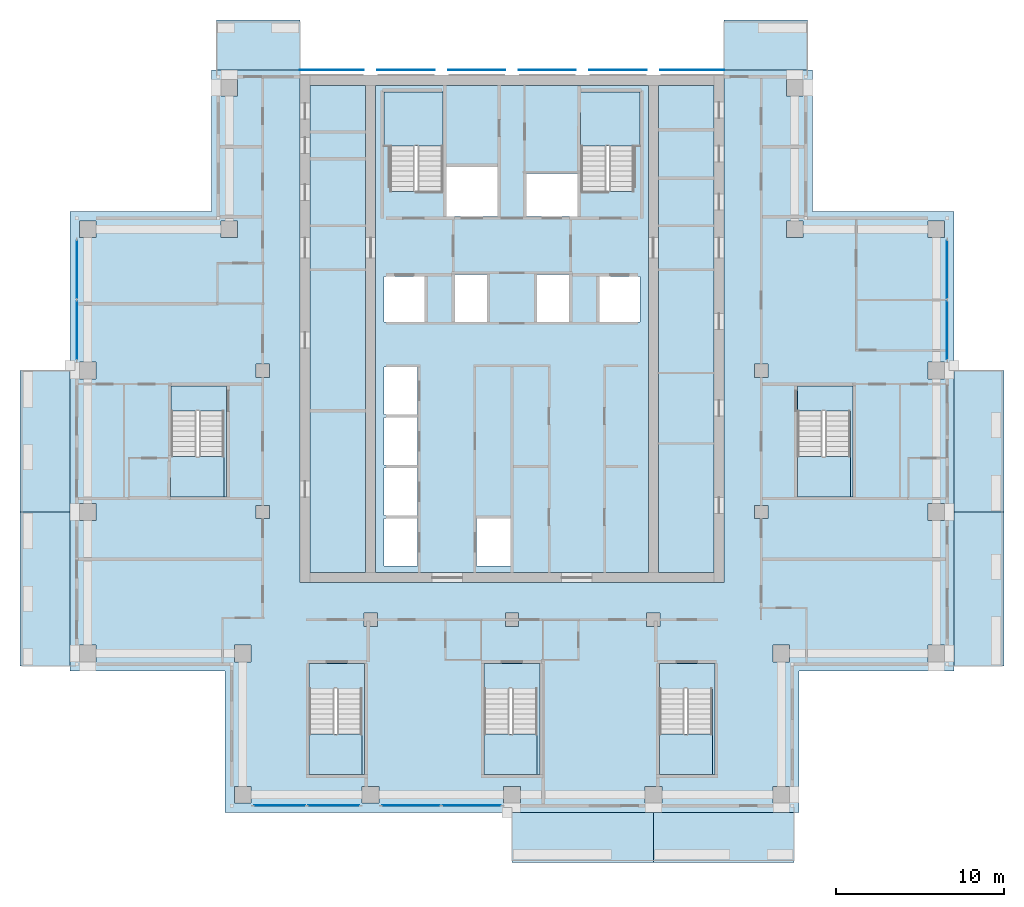
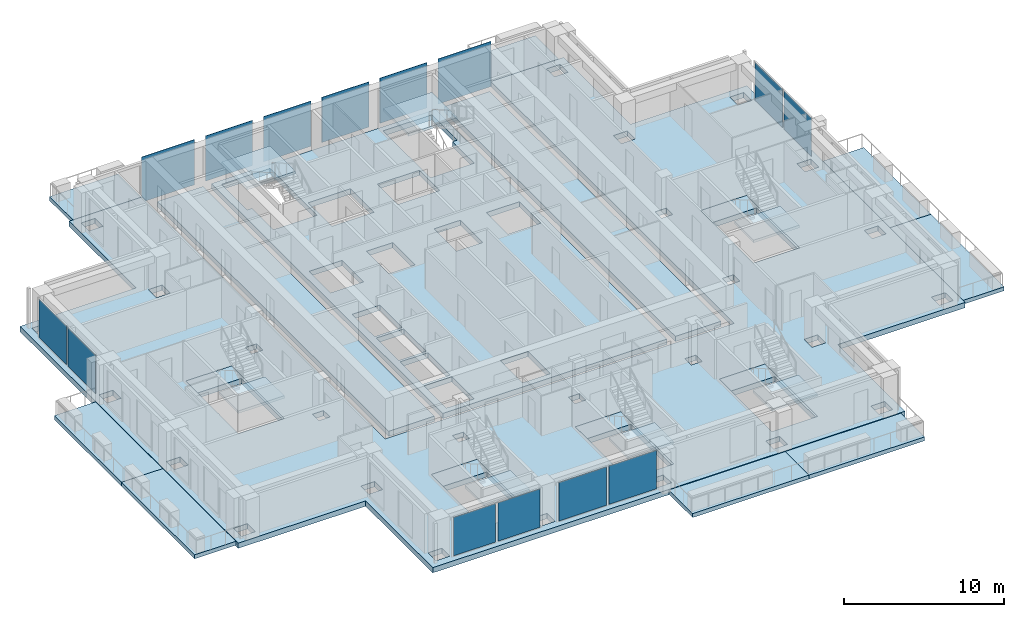
# One storey, part 7 of 17: 24 slabs, 14 plates, 11 elements without a shape of their own.
"""IFC4 building model written with IfcOpenShell, lengths in metres."""

from ifc_helpers import new_model, si_unit, direction, frame, origin, origin_2d, place, context, subcontext, project, spatial, polyline, rectangle, outline, extrude, material, layer, layer_set, type_object, element, aggregate, save


model = new_model("IFC4")

# Units and contexts
model_context = context("Model", 3, precision=1e-05, world=origin(), true_north=direction((0.0, 1.0)))
body_context = subcontext(model_context, "Body", "Model", "MODEL_VIEW")
ifc_project = project(units=[si_unit("LENGTHUNIT", "METRE"), si_unit("AREAUNIT", "SQUARE_METRE"), si_unit("VOLUMEUNIT", "CUBIC_METRE"), si_unit("PLANEANGLEUNIT", "RADIAN"), si_unit("MASSUNIT", "GRAM", prefix="KILO")], contexts=[model_context])

# Site, building, storey
site_placement = place(None, origin())
site = spatial("IfcSite", under=ifc_project, at=site_placement, CompositionType="ELEMENT")
building_placement = place(site_placement, origin())
building = spatial("IfcBuilding", under=site, at=building_placement, Name="Vermilion Ogive Tower", CompositionType="ELEMENT")
storey_placement = place(building_placement, frame((0.0, 0.0, 203.14990234375)))
storey = spatial("IfcBuildingStorey", under=building, at=storey_placement, Name="L53", CompositionType="ELEMENT", Elevation=203.14990234375)

# Slabs
ifc_material_1 = material(Name="Concrete B40", Category="concrete")
ifc_layer_1 = layer(ifc_material_1, 0.300048828125)
ifc_layer_set_1 = layer_set([ifc_layer_1], Name="Balcony slab")
slab_type_1 = type_object("IfcSlabType", Name="Balcony slab", PredefinedType="FLOOR", material=ifc_layer_set_1)
slab_1_placement = place(storey_placement, frame((0.0, 0.0, -0.33984375)))
element("IfcSlab", 1, at=slab_1_placement, inside=storey, type_object=slab_type_1, Name="Balcony slab S03", PredefinedType="FLOOR", context=body_context, shape_type="SweptSolid", body=[
    extrude(outline(polyline([(0.0, -25.030029296875), (8.39990234375, -25.030029296875), (8.39990234375, -22.050048828125), (0.0, -22.050048828125), (0.0, -25.030029296875)])), origin(), (0.0, 0.0, 1.0), 0.300048828125),
])
slab_2_placement = place(storey_placement, frame((0.0, 0.0, -0.33984375)))
element("IfcSlab", 2, at=slab_2_placement, inside=storey, type_object=slab_type_1, Name="Balcony slab S04", PredefinedType="FLOOR", context=body_context, shape_type="SweptSolid", body=[
    extrude(outline(polyline([(8.39990234375, -25.030029296875), (16.75, -25.030029296875), (16.75, -22.050048828125), (8.39990234375, -22.050048828125), (8.39990234375, -25.030029296875)])), origin(), (0.0, 0.0, 1.0), 0.300048828125),
])
slab_3_placement = place(storey_placement, frame((0.0, 0.0, -0.33984375)))
element("IfcSlab", 3, at=slab_3_placement, inside=storey, type_object=slab_type_1, Name="Balcony slab E01", PredefinedType="FLOOR", context=body_context, shape_type="SweptSolid", body=[
    extrude(outline(polyline([(29.22998046875, -13.35009765625), (29.22998046875, -4.199951171875), (26.25, -4.199951171875), (26.25, -13.35009765625), (29.22998046875, -13.35009765625)])), origin(), (0.0, 0.0, 1.0), 0.300048828125),
])
slab_4_placement = place(storey_placement, frame((0.0, 0.0, -0.33984375)))
element("IfcSlab", 4, at=slab_4_placement, inside=storey, type_object=slab_type_1, Name="Balcony slab E02", PredefinedType="FLOOR", context=body_context, shape_type="SweptSolid", body=[
    extrude(outline(polyline([(29.22998046875, -4.199951171875), (29.22998046875, 4.199951171875), (26.25, 4.199951171875), (26.25, -4.199951171875), (29.22998046875, -4.199951171875)])), origin(), (0.0, 0.0, 1.0), 0.300048828125),
])
slab_5_placement = place(storey_placement, frame((0.0, 0.0, -0.33984375)))
element("IfcSlab", 5, at=slab_5_placement, inside=storey, type_object=slab_type_1, Name="Balcony slab N101", PredefinedType="FLOOR", context=body_context, shape_type="SweptSolid", body=[
    extrude(outline(polyline([(17.550048828125, 25.030029296875), (12.60009765625, 25.030029296875), (12.60009765625, 22.050048828125), (17.550048828125, 22.050048828125), (17.550048828125, 25.030029296875)])), origin(), (0.0, 0.0, 1.0), 0.300048828125),
])
slab_6_placement = place(storey_placement, frame((0.0, 0.0, -0.33984375)))
element("IfcSlab", 6, at=slab_6_placement, inside=storey, type_object=slab_type_1, Name="Balcony slab N201", PredefinedType="FLOOR", context=body_context, shape_type="SweptSolid", body=[
    extrude(outline(polyline([(-12.60009765625, 25.030029296875), (-17.550048828125, 25.030029296875), (-17.550048828125, 22.050048828125), (-12.60009765625, 22.050048828125), (-12.60009765625, 25.030029296875)])), origin(), (0.0, 0.0, 1.0), 0.300048828125),
])
slab_7_placement = place(storey_placement, frame((0.0, 0.0, -0.33984375)))
element("IfcSlab", 7, at=slab_7_placement, inside=storey, type_object=slab_type_1, Name="Balcony slab W02", PredefinedType="FLOOR", context=body_context, shape_type="SweptSolid", body=[
    extrude(outline(polyline([(-29.22998046875, 4.199951171875), (-29.22998046875, -4.199951171875), (-26.25, -4.199951171875), (-26.25, 4.199951171875), (-29.22998046875, 4.199951171875)])), origin(), (0.0, 0.0, 1.0), 0.300048828125),
])
slab_8_placement = place(storey_placement, frame((0.0, 0.0, -0.33984375)))
element("IfcSlab", 8, at=slab_8_placement, inside=storey, type_object=slab_type_1, Name="Balcony slab W03", PredefinedType="FLOOR", context=body_context, shape_type="SweptSolid", body=[
    extrude(outline(polyline([(-29.22998046875, -4.199951171875), (-29.22998046875, -13.35009765625), (-26.25, -13.35009765625), (-26.25, -4.199951171875), (-29.22998046875, -4.199951171875)])), origin(), (0.0, 0.0, 1.0), 0.300048828125),
])

# Curtain wall, plates
ifc_material_2 = material(Name="Low-iron laminated glazing in aluminium frame", Category="aluminium")
curtain_wall_type = type_object("IfcCurtainWallType", Name="Curtain wall CW7", PredefinedType="NOTDEFINED", material=ifc_material_2)
curtain_wall_1_placement = place(storey_placement, origin())
curtain_wall_1 = element("IfcCurtainWall", 9, at=curtain_wall_1_placement, inside=storey, type_object=curtain_wall_type, Name="Glazed skin S1", PredefinedType="NOTDEFINED")
ifc_material_3 = material(Name="Low-iron laminated glazing in aluminium frame", Category="aluminium")
ifc_layer_2 = layer(ifc_material_3, 0.031982421875)
ifc_layer_set_2 = layer_set([ifc_layer_2], Name="CW7 glazing panel 32")
plate_type_1 = type_object("IfcPlateType", Name="CW7 glazing panel 32", PredefinedType="CURTAIN_PANEL", material=ifc_layer_set_2)
plate_1_placement = place(storey_placement, frame((-13.804931640625, -21.64990234375, 0.06005859375), z_axis=(0.0, 0.0, 1.0), x_axis=(1.0, 0.0, 0.0)))
plate_1 = element("IfcPlate", 10, at=plate_1_placement, type_object=plate_type_1, Name="CW7-S1 panel 1.1", PredefinedType="CURTAIN_PANEL", context=body_context, shape_type="SweptSolid", body=[
    extrude(rectangle(XDim=3.030029296875, YDim=0.031982421875, at=origin_2d()), origin(), (0.0, 0.0, 1.0), 2.929931640625),
])
plate_2_placement = place(storey_placement, frame((-10.594970703125, -21.64990234375, 0.06005859375), z_axis=(0.0, 0.0, 1.0), x_axis=(1.0, 0.0, 0.0)))
plate_2 = element("IfcPlate", 11, at=plate_2_placement, type_object=plate_type_1, Name="CW7-S1 panel 2.1", PredefinedType="CURTAIN_PANEL", context=body_context, shape_type="SweptSolid", body=[
    extrude(rectangle(XDim=3.030029296875, YDim=0.031982421875, at=origin_2d()), origin(), (0.0, 0.0, 1.0), 2.929931640625),
])
aggregate(curtain_wall_1, [plate_1, plate_2])

curtain_wall_2_placement = place(storey_placement, origin())
curtain_wall_2 = element("IfcCurtainWall", 12, at=curtain_wall_2_placement, inside=storey, type_object=curtain_wall_type, Name="Glazed skin S2", PredefinedType="NOTDEFINED")
plate_3_placement = place(storey_placement, frame((-6.0048828125, -21.64990234375, 0.06005859375), z_axis=(0.0, 0.0, 1.0), x_axis=(1.0, 0.0, 0.0)))
plate_3 = element("IfcPlate", 13, at=plate_3_placement, type_object=plate_type_1, Name="CW7-S2 panel 1.1", PredefinedType="CURTAIN_PANEL", context=body_context, shape_type="SweptSolid", body=[
    extrude(rectangle(XDim=3.429931640625, YDim=0.031982421875, at=origin_2d()), origin(), (0.0, 0.0, 1.0), 2.929931640625),
])
plate_4_placement = place(storey_placement, frame((-2.39501953125, -21.64990234375, 0.06005859375), z_axis=(0.0, 0.0, 1.0), x_axis=(1.0, 0.0, 0.0)))
plate_4 = element("IfcPlate", 14, at=plate_4_placement, type_object=plate_type_1, Name="CW7-S2 panel 2.1", PredefinedType="CURTAIN_PANEL", context=body_context, shape_type="SweptSolid", body=[
    extrude(rectangle(XDim=3.429931640625, YDim=0.031982421875, at=origin_2d()), origin(), (0.0, 0.0, 1.0), 2.929931640625),
])
aggregate(curtain_wall_2, [plate_3, plate_4])

curtain_wall_3_placement = place(storey_placement, origin())
curtain_wall_3 = element("IfcCurtainWall", 15, at=curtain_wall_3_placement, inside=storey, type_object=curtain_wall_type, Name="Glazed skin E3", PredefinedType="NOTDEFINED")
plate_5_placement = place(storey_placement, frame((25.85009765625, 6.594970703125, 0.06005859375), z_axis=(0.0, 0.0, 1.0), x_axis=(0.0, 1.0, 0.0)))
plate_5 = element("IfcPlate", 16, at=plate_5_placement, type_object=plate_type_1, Name="CW7-E3 panel 1.1", PredefinedType="CURTAIN_PANEL", context=body_context, shape_type="SweptSolid", body=[
    extrude(rectangle(XDim=3.429931640625, YDim=0.031982421875, at=origin_2d()), origin(), (0.0, 0.0, 1.0), 2.929931640625),
])
plate_6_placement = place(storey_placement, frame((25.85009765625, 10.205078125, 0.06005859375), z_axis=(0.0, 0.0, 1.0), x_axis=(0.0, 1.0, 0.0)))
plate_6 = element("IfcPlate", 17, at=plate_6_placement, type_object=plate_type_1, Name="CW7-E3 panel 2.1", PredefinedType="CURTAIN_PANEL", context=body_context, shape_type="SweptSolid", body=[
    extrude(rectangle(XDim=3.429931640625, YDim=0.031982421875, at=origin_2d()), origin(), (0.0, 0.0, 1.0), 2.929931640625),
])
aggregate(curtain_wall_3, [plate_5, plate_6])

curtain_wall_4_placement = place(storey_placement, origin())
curtain_wall_4 = element("IfcCurtainWall", 18, at=curtain_wall_4_placement, inside=storey, type_object=curtain_wall_type, Name="Glazed skin W1", PredefinedType="NOTDEFINED")
plate_7_placement = place(storey_placement, frame((-25.85009765625, 10.205078125, 0.06005859375), z_axis=(0.0, 0.0, 1.0), x_axis=(0.0, -1.0, 0.0)))
plate_7 = element("IfcPlate", 19, at=plate_7_placement, type_object=plate_type_1, Name="CW7-W1 panel 1.1", PredefinedType="CURTAIN_PANEL", context=body_context, shape_type="SweptSolid", body=[
    extrude(rectangle(XDim=3.429931640625, YDim=0.031982421875, at=origin_2d()), origin(), (0.0, 0.0, 1.0), 2.929931640625),
])
plate_8_placement = place(storey_placement, frame((-25.85009765625, 6.594970703125, 0.06005859375), z_axis=(0.0, 0.0, 1.0), x_axis=(0.0, -1.0, 0.0)))
plate_8 = element("IfcPlate", 20, at=plate_8_placement, type_object=plate_type_1, Name="CW7-W1 panel 2.1", PredefinedType="CURTAIN_PANEL", context=body_context, shape_type="SweptSolid", body=[
    extrude(rectangle(XDim=3.429931640625, YDim=0.031982421875, at=origin_2d()), origin(), (0.0, 0.0, 1.0), 2.929931640625),
])
aggregate(curtain_wall_4, [plate_7, plate_8])

# Slabs
ifc_material_4 = material(Name="Concrete B40", Category="concrete")
ifc_layer_3 = layer(ifc_material_4, 0.39990234375)
ifc_layer_set_3 = layer_set([ifc_layer_3], Name="Core floor slab 400 B40")
slab_type_2 = type_object("IfcSlabType", Name="Core floor slab 400 B40", PredefinedType="FLOOR", material=ifc_layer_set_3)
slab_9_placement = place(storey_placement, frame((0.0, 0.0, -0.39990234375)))
element("IfcSlab", 21, at=slab_9_placement, inside=storey, type_object=slab_type_2, Name="L53-CK-FS1", PredefinedType="FLOOR", context=body_context, shape_type="SweptSolid", body=[
    extrude(outline(polyline([(-11.99609375, 21.14599609375), (-8.7041015625, 21.14599609375), (-8.7041015625, -7.7958984375), (-11.99609375, -7.7958984375), (-11.99609375, 21.14599609375)])), origin(), (0.0, 0.0, 1.0), 0.39990234375),
])
slab_10_placement = place(storey_placement, frame((0.0, 0.0, -0.39990234375)))
element("IfcSlab", 22, at=slab_10_placement, inside=storey, type_object=slab_type_2, Name="L53-CK-FS2", PredefinedType="FLOOR", context=body_context, shape_type="SweptSolid", body=[
    extrude(outline(polyline([(-8.095947265625, -7.7958984375), (8.095947265625, -7.7958984375), (8.095947265625, 21.14599609375), (-8.095947265625, 21.14599609375), (-8.095947265625, -7.7958984375)]), holes=[polyline([(-7.60009765625, -7.39990234375), (-7.60009765625, -4.60009765625), (-5.60009765625, -4.60009765625), (-5.60009765625, -7.39990234375), (-7.60009765625, -7.39990234375)]), polyline([(-7.60009765625, -4.39990234375), (-7.60009765625, -1.60009765625), (-5.60009765625, -1.60009765625), (-5.60009765625, -4.39990234375), (-7.60009765625, -4.39990234375)]), polyline([(-7.60009765625, -1.39990234375), (-7.60009765625, 1.39990234375), (-5.60009765625, 1.39990234375), (-5.60009765625, -1.39990234375), (-7.60009765625, -1.39990234375)]), polyline([(-7.60009765625, 1.60009765625), (-7.60009765625, 4.39990234375), (-5.60009765625, 4.39990234375), (-5.60009765625, 1.60009765625), (-7.60009765625, 1.60009765625)]), polyline([(-7.60009765625, 7.10009765625), (-7.60009765625, 9.800048828125), (-5.199951171875, 9.800048828125), (-5.199951171875, 7.10009765625), (-7.60009765625, 7.10009765625)]), polyline([(-3.39990234375, 9.89990234375), (-1.5, 9.89990234375), (-1.5, 7.10009765625), (-3.39990234375, 7.10009765625), (-3.39990234375, 9.89990234375)]), polyline([(-7.60009765625, 17.550048828125), (-7.60009765625, 20.75), (-4.10009765625, 20.75), (-4.10009765625, 14.85205078125), (-5.60009765625, 14.85205078125), (-5.60009765625, 14.85009765625), (-5.75, 14.85009765625), (-5.75, 14.85205078125), (-7.25, 14.85205078125), (-7.25, 17.550048828125), (-7.60009765625, 17.550048828125)]), polyline([(-2.10009765625, -7.39990234375), (-2.10009765625, -4.60009765625), (-0.10009765625, -4.60009765625), (-0.10009765625, -7.39990234375), (-2.10009765625, -7.39990234375)]), polyline([(5.199951171875, 7.10009765625), (5.199951171875, 9.800048828125), (7.60009765625, 9.800048828125), (7.60009765625, 7.10009765625), (5.199951171875, 7.10009765625)]), polyline([(1.5, 7.10009765625), (1.5, 9.89990234375), (3.39990234375, 9.89990234375), (3.39990234375, 7.10009765625), (1.5, 7.10009765625)]), polyline([(0.85009765625, 13.35009765625), (0.85009765625, 15.89990234375), (3.89990234375, 15.89990234375), (3.89990234375, 13.35009765625), (0.85009765625, 13.35009765625)]), polyline([(-3.89990234375, 16.300048828125), (-0.85009765625, 16.300048828125), (-0.85009765625, 13.35009765625), (-3.89990234375, 13.35009765625), (-3.89990234375, 16.300048828125)]), polyline([(5.75, 14.85009765625), (5.60009765625, 14.85009765625), (5.60009765625, 14.85205078125), (4.10009765625, 14.85205078125), (4.10009765625, 17.550048828125), (4.074951171875, 17.550048828125), (4.074951171875, 20.75), (7.60009765625, 20.75), (7.60009765625, 17.550048828125), (7.25, 17.550048828125), (7.25, 14.85205078125), (5.75, 14.85205078125), (5.75, 14.85009765625)])]), origin(), (0.0, 0.0, 1.0), 0.39990234375),
])
slab_11_placement = place(storey_placement, frame((0.0, 0.0, -0.39990234375)))
element("IfcSlab", 23, at=slab_11_placement, inside=storey, type_object=slab_type_2, Name="L53-CK-FS3", PredefinedType="FLOOR", context=body_context, shape_type="SweptSolid", body=[
    extrude(outline(polyline([(11.99609375, 21.14599609375), (11.99609375, -7.7958984375), (8.7041015625, -7.7958984375), (8.7041015625, 21.14599609375), (11.99609375, 21.14599609375)])), origin(), (0.0, 0.0, 1.0), 0.39990234375),
])
slab_12_placement = place(storey_placement, frame((0.0, 0.0, -0.39990234375)))
element("IfcSlab", 24, at=slab_12_placement, inside=storey, type_object=slab_type_2, Name="L53-SF-ST3-1", PredefinedType="FLOOR", context=body_context, shape_type="SweptSolid", body=[
    extrude(outline(polyline([(-12.050048828125, -13.199951171875), (-12.050048828125, -14.701904296875), (-10.550048828125, -14.701904296875), (-10.550048828125, -14.699951171875), (-10.39990234375, -14.699951171875), (-10.39990234375, -14.701904296875), (-8.89990234375, -14.701904296875), (-8.89990234375, -19.800048828125), (-8.75, -19.800048828125), (-8.75, -13.199951171875), (-12.050048828125, -13.199951171875)])), origin(), (0.0, 0.0, 1.0), 0.39990234375),
])
slab_13_placement = place(storey_placement, frame((0.0, 0.0, -0.39990234375)))
element("IfcSlab", 25, at=slab_13_placement, inside=storey, type_object=slab_type_2, Name="L53-SF-ST4-1", PredefinedType="FLOOR", context=body_context, shape_type="SweptSolid", body=[
    extrude(outline(polyline([(-1.64990234375, -13.199951171875), (-1.64990234375, -14.701904296875), (-0.14990234375, -14.701904296875), (-0.14990234375, -14.699951171875), (0.0, -14.699951171875), (0.0, -14.701904296875), (1.5, -14.701904296875), (1.5, -19.800048828125), (1.64990234375, -19.800048828125), (1.64990234375, -13.199951171875), (-1.64990234375, -13.199951171875)])), origin(), (0.0, 0.0, 1.0), 0.39990234375),
])
slab_14_placement = place(storey_placement, frame((0.0, 0.0, -0.39990234375)))
element("IfcSlab", 26, at=slab_14_placement, inside=storey, type_object=slab_type_2, Name="L53-SF-ST5-1", PredefinedType="FLOOR", context=body_context, shape_type="SweptSolid", body=[
    extrude(outline(polyline([(8.75, -13.199951171875), (8.75, -14.701904296875), (10.25, -14.701904296875), (10.25, -14.699951171875), (10.39990234375, -14.699951171875), (10.39990234375, -14.701904296875), (11.89990234375, -14.701904296875), (11.89990234375, -19.800048828125), (12.050048828125, -19.800048828125), (12.050048828125, -13.199951171875), (8.75, -13.199951171875)])), origin(), (0.0, 0.0, 1.0), 0.39990234375),
])
slab_15_placement = place(storey_placement, frame((0.0, 0.0, -0.39990234375)))
element("IfcSlab", 27, at=slab_15_placement, inside=storey, type_object=slab_type_2, Name="L53-SF-ST8-1", PredefinedType="FLOOR", context=body_context, shape_type="SweptSolid", body=[
    extrude(outline(polyline([(16.949951171875, 3.300048828125), (16.949951171875, 1.798095703125), (18.449951171875, 1.798095703125), (18.449951171875, 1.800048828125), (18.60009765625, 1.800048828125), (18.60009765625, 1.798095703125), (20.10009765625, 1.798095703125), (20.10009765625, -3.300048828125), (20.25, -3.300048828125), (20.25, 3.300048828125), (16.949951171875, 3.300048828125)])), origin(), (0.0, 0.0, 1.0), 0.39990234375),
])
slab_16_placement = place(storey_placement, frame((0.0, 0.0, -0.39990234375)))
element("IfcSlab", 28, at=slab_16_placement, inside=storey, type_object=slab_type_2, Name="L53-SF-ST9-1", PredefinedType="FLOOR", context=body_context, shape_type="SweptSolid", body=[
    extrude(outline(polyline([(-20.25, 3.300048828125), (-20.25, 1.798095703125), (-18.75, 1.798095703125), (-18.75, 1.800048828125), (-18.60009765625, 1.800048828125), (-18.60009765625, 1.798095703125), (-17.10009765625, 1.798095703125), (-17.10009765625, -3.300048828125), (-16.949951171875, -3.300048828125), (-16.949951171875, 3.300048828125), (-20.25, 3.300048828125)])), origin(), (0.0, 0.0, 1.0), 0.39990234375),
])

# Plates
ifc_material_5 = material(Name="Low-iron laminated glazing in aluminium frame", Category="aluminium")
ifc_layer_4 = layer(ifc_material_5, 0.031982421875)
ifc_layer_set_4 = layer_set([ifc_layer_4], Name="Glazed rainscreen sheet 32")
plate_type_2 = type_object("IfcPlateType", Name="Glazed rainscreen sheet 32", PredefinedType="SHEET", material=ifc_layer_set_4)
plate_9_placement = place(storey_placement, frame((-10.7099609375, 22.06591796875, -0.39990234375), z_axis=(0.0, 0.0, 1.0), x_axis=(1.0, 0.0, 0.0)))
element("IfcPlate", 29, at=plate_9_placement, inside=storey, type_object=plate_type_2, Name="Glazed rainscreen sheet N1", PredefinedType="SHEET", context=body_context, shape_type="SweptSolid", body=[
    extrude(rectangle(XDim=3.820068359375, YDim=0.031982421875, at=origin_2d()), origin(), (0.0, 0.0, 1.0), 3.449951171875),
])
for number, where, z_axis, x_axis, name in (
    (30, (-6.300048828125, 22.06591796875, -0.39990234375), (0.0, 0.0, 1.0), (1.0, 0.0, 0.0), "Glazed rainscreen sheet N2"),
    (31, (-2.10009765625, 22.06591796875, -0.39990234375), (0.0, 0.0, 1.0), (1.0, 0.0, 0.0), "Glazed rainscreen sheet N3"),
    (32, (2.10009765625, 22.06591796875, -0.39990234375), (0.0, 0.0, 1.0), (1.0, 0.0, 0.0), "Glazed rainscreen sheet N4"),
    (33, (6.300048828125, 22.06591796875, -0.39990234375), (0.0, 0.0, 1.0), (1.0, 0.0, 0.0), "Glazed rainscreen sheet N5"),
):
    element("IfcPlate", number, at=place(storey_placement, frame(where, z_axis=z_axis, x_axis=x_axis)), inside=storey, type_object=plate_type_2, Name=name, PredefinedType="SHEET", context=body_context, shape_type="SweptSolid", body=[
        extrude(rectangle(XDim=3.39990234375, YDim=0.031982421875, at=origin_2d()), origin(), (0.0, 0.0, 1.0), 3.449951171875),
    ])
plate_10_placement = place(storey_placement, frame((10.7099609375, 22.06591796875, -0.39990234375), z_axis=(0.0, 0.0, 1.0), x_axis=(1.0, 0.0, 0.0)))
element("IfcPlate", 34, at=plate_10_placement, inside=storey, type_object=plate_type_2, Name="Glazed rainscreen sheet N6", PredefinedType="SHEET", context=body_context, shape_type="SweptSolid", body=[
    extrude(rectangle(XDim=3.820068359375, YDim=0.031982421875, at=origin_2d()), origin(), (0.0, 0.0, 1.0), 3.449951171875),
])

# Slab
ifc_material_6 = material(Name="Concrete B45", Category="concrete")
ifc_layer_5 = layer(ifc_material_6, 0.39990234375)
ifc_layer_set_5 = layer_set([ifc_layer_5], Name="Post-tensioned flat plate 400 B45")
slab_type_3 = type_object("IfcSlabType", Name="Post-tensioned flat plate 400 B45", PredefinedType="FLOOR", material=ifc_layer_set_5)
slab_17_placement = place(storey_placement, frame((0.0, 0.0, -0.39990234375)))
element("IfcSlab", 35, at=slab_17_placement, inside=storey, type_object=slab_type_3, Name="L53-SL-1", PredefinedType="FLOOR", context=body_context, shape_type="SweptSolid", body=[
    extrude(outline(polyline([(-26.25, -13.64990234375), (-17.050048828125, -13.64990234375), (-17.050048828125, -22.050048828125), (17.050048828125, -22.050048828125), (17.050048828125, -13.64990234375), (26.25, -13.64990234375), (26.25, 13.64990234375), (17.85009765625, 13.64990234375), (17.85009765625, 22.050048828125), (12.60009765625, 22.050048828125), (12.60009765625, -8.39990234375), (-12.60009765625, -8.39990234375), (-12.60009765625, 22.050048828125), (-17.85009765625, 22.050048828125), (-17.85009765625, 13.64990234375), (-26.25, 13.64990234375), (-26.25, -13.64990234375)]), holes=[polyline([(25.699951171875, -3.699951171875), (25.699951171875, -4.699951171875), (24.699951171875, -4.699951171875), (24.699951171875, -3.699951171875), (25.699951171875, -3.699951171875)]), polyline([(25.699951171875, -12.10009765625), (25.699951171875, -13.10009765625), (24.699951171875, -13.10009765625), (24.699951171875, -12.10009765625), (25.699951171875, -12.10009765625)]), polyline([(25.699951171875, 12.10009765625), (24.699951171875, 12.10009765625), (24.699951171875, 13.10009765625), (25.699951171875, 13.10009765625), (25.699951171875, 12.10009765625)]), polyline([(25.699951171875, 3.699951171875), (24.699951171875, 3.699951171875), (24.699951171875, 4.699951171875), (25.699951171875, 4.699951171875), (25.699951171875, 3.699951171875)]), polyline([(20.25, 3.300048828125), (20.25, -3.300048828125), (16.949951171875, -3.300048828125), (16.949951171875, 3.300048828125), (20.25, 3.300048828125)]), polyline([(17.300048828125, 13.10009765625), (17.300048828125, 12.10009765625), (16.300048828125, 12.10009765625), (16.300048828125, 13.10009765625), (17.300048828125, 13.10009765625)]), polyline([(17.300048828125, 20.5), (16.300048828125, 20.5), (16.300048828125, 21.5), (17.300048828125, 21.5), (17.300048828125, 20.5)]), polyline([(16.5, -12.10009765625), (16.5, -13.10009765625), (15.5, -13.10009765625), (15.5, -12.10009765625), (16.5, -12.10009765625)]), polyline([(16.5, -20.5), (16.5, -21.5), (15.5, -21.5), (15.5, -20.5), (16.5, -20.5)]), polyline([(15.199951171875, 4.60009765625), (15.199951171875, 3.800048828125), (14.39990234375, 3.800048828125), (14.39990234375, 4.60009765625), (15.199951171875, 4.60009765625)]), polyline([(15.199951171875, -4.60009765625), (14.39990234375, -4.60009765625), (14.39990234375, -3.800048828125), (15.199951171875, -3.800048828125), (15.199951171875, -4.60009765625)]), polyline([(12.050048828125, -13.199951171875), (12.050048828125, -19.800048828125), (8.75, -19.800048828125), (8.75, -13.199951171875), (12.050048828125, -13.199951171875)]), polyline([(8.89990234375, -20.5), (8.89990234375, -21.5), (7.89990234375, -21.5), (7.89990234375, -20.5), (8.89990234375, -20.5)]), polyline([(8.800048828125, -11.0), (8.0, -11.0), (8.0, -10.199951171875), (8.800048828125, -10.199951171875), (8.800048828125, -11.0)]), polyline([(1.64990234375, -13.199951171875), (1.64990234375, -19.800048828125), (-1.64990234375, -19.800048828125), (-1.64990234375, -13.199951171875), (1.64990234375, -13.199951171875)]), polyline([(0.5, -20.5), (0.5, -21.5), (-0.5, -21.5), (-0.5, -20.5), (0.5, -20.5)]), polyline([(0.39990234375, -10.199951171875), (0.39990234375, -11.0), (-0.39990234375, -11.0), (-0.39990234375, -10.199951171875), (0.39990234375, -10.199951171875)]), polyline([(-7.89990234375, -20.5), (-7.89990234375, -21.5), (-8.89990234375, -21.5), (-8.89990234375, -20.5), (-7.89990234375, -20.5)]), polyline([(-8.0, -10.199951171875), (-8.0, -11.0), (-8.800048828125, -11.0), (-8.800048828125, -10.199951171875), (-8.0, -10.199951171875)]), polyline([(-8.75, -13.199951171875), (-8.75, -19.800048828125), (-12.050048828125, -19.800048828125), (-12.050048828125, -13.199951171875), (-8.75, -13.199951171875)]), polyline([(-14.39990234375, 4.60009765625), (-14.39990234375, 3.800048828125), (-15.199951171875, 3.800048828125), (-15.199951171875, 4.60009765625), (-14.39990234375, 4.60009765625)]), polyline([(-14.39990234375, -4.60009765625), (-15.199951171875, -4.60009765625), (-15.199951171875, -3.800048828125), (-14.39990234375, -3.800048828125), (-14.39990234375, -4.60009765625)]), polyline([(-15.5, -12.10009765625), (-15.5, -13.10009765625), (-16.5, -13.10009765625), (-16.5, -12.10009765625), (-15.5, -12.10009765625)]), polyline([(-15.5, -20.5), (-15.5, -21.5), (-16.5, -21.5), (-16.5, -20.5), (-15.5, -20.5)]), polyline([(-16.300048828125, 13.10009765625), (-16.300048828125, 12.10009765625), (-17.300048828125, 12.10009765625), (-17.300048828125, 13.10009765625), (-16.300048828125, 13.10009765625)]), polyline([(-16.300048828125, 20.5), (-17.300048828125, 20.5), (-17.300048828125, 21.5), (-16.300048828125, 21.5), (-16.300048828125, 20.5)]), polyline([(-16.949951171875, 3.300048828125), (-16.949951171875, -3.300048828125), (-20.25, -3.300048828125), (-20.25, -3.2998046875), (-20.275146484375, -3.2998046875), (-20.275146484375, -0.89990234375), (-20.25, -0.89990234375), (-20.25, 3.300048828125), (-16.949951171875, 3.300048828125)]), polyline([(-24.699951171875, 3.699951171875), (-25.699951171875, 3.699951171875), (-25.699951171875, 4.699951171875), (-24.699951171875, 4.699951171875), (-24.699951171875, 3.699951171875)]), polyline([(-24.699951171875, 13.10009765625), (-24.699951171875, 12.10009765625), (-25.699951171875, 12.10009765625), (-25.699951171875, 13.10009765625), (-24.699951171875, 13.10009765625)]), polyline([(-24.699951171875, -3.699951171875), (-24.699951171875, -4.699951171875), (-25.699951171875, -4.699951171875), (-25.699951171875, -3.699951171875), (-24.699951171875, -3.699951171875)]), polyline([(-24.699951171875, -12.10009765625), (-24.699951171875, -13.10009765625), (-25.699951171875, -13.10009765625), (-25.699951171875, -12.10009765625), (-24.699951171875, -12.10009765625)])]), origin(), (0.0, 0.0, 1.0), 0.39990234375),
])

# Stair, slab
ifc_material_7 = material(Name="Concrete B40", Category="concrete")
stair_type = type_object("IfcStairType", Name="Exit stair 1500", PredefinedType="HALF_TURN_STAIR", material=ifc_material_7)
stair_1_placement = place(storey_placement, origin())
stair_1 = element("IfcStair", 36, at=stair_1_placement, inside=storey, type_object=stair_type, Name="L53 Exit Stair ST1", PredefinedType="HALF_TURN_STAIR")
ifc_material_8 = material(Name="Concrete B40", Category="concrete")
ifc_layer_6 = layer(ifc_material_8, 0.199951171875)
ifc_layer_set_6 = layer_set([ifc_layer_6], Name="Stair landing 200")
slab_type_4 = type_object("IfcSlabType", Name="Stair landing 200", PredefinedType="LANDING", material=ifc_layer_set_6)
slab_18_placement = place(storey_placement, frame((0.0, 0.0, 1.525146484375)))
slab_18 = element("IfcSlab", 37, at=slab_18_placement, type_object=slab_type_4, Name="ST1 landing 1", PredefinedType="LANDING", context=body_context, shape_type="SweptSolid", body=[
    extrude(outline(polyline([(-7.60009765625, 17.550048828125), (-7.25, 17.550048828125), (-7.25, 17.548095703125), (-5.75, 17.548095703125), (-5.75, 17.550048828125), (-5.60009765625, 17.550048828125), (-5.60009765625, 17.548095703125), (-4.10009765625, 17.548095703125), (-4.10009765625, 20.75), (-7.60009765625, 20.75), (-7.60009765625, 17.550048828125)])), origin(), (0.0, 0.0, 1.0), 0.199951171875),
])
aggregate(stair_1, [slab_18])

stair_2_placement = place(storey_placement, origin())
stair_2 = element("IfcStair", 38, at=stair_2_placement, inside=storey, type_object=stair_type, Name="L53 Exit Stair ST2", PredefinedType="HALF_TURN_STAIR")
slab_19_placement = place(storey_placement, frame((0.0, 0.0, 1.525146484375)))
slab_19 = element("IfcSlab", 39, at=slab_19_placement, type_object=slab_type_4, Name="ST2 landing 1", PredefinedType="LANDING", context=body_context, shape_type="SweptSolid", body=[
    extrude(outline(polyline([(5.60009765625, 17.550048828125), (5.75, 17.550048828125), (5.75, 17.548095703125), (7.25, 17.548095703125), (7.25, 17.550048828125), (7.60009765625, 17.550048828125), (7.60009765625, 20.75), (4.074951171875, 20.75), (4.074951171875, 17.550048828125), (4.10009765625, 17.550048828125), (4.10009765625, 17.548095703125), (5.60009765625, 17.548095703125), (5.60009765625, 17.550048828125)])), origin(), (0.0, 0.0, 1.0), 0.199951171875),
])
aggregate(stair_2, [slab_19])

stair_3_placement = place(storey_placement, origin())
stair_3 = element("IfcStair", 40, at=stair_3_placement, inside=storey, type_object=stair_type, Name="L53 Exit Stair ST3", PredefinedType="HALF_TURN_STAIR")
slab_20_placement = place(storey_placement, frame((0.0, 0.0, 1.525146484375)))
slab_20 = element("IfcSlab", 41, at=slab_20_placement, type_object=slab_type_4, Name="ST3 landing 1", PredefinedType="LANDING", context=body_context, shape_type="SweptSolid", body=[
    extrude(outline(polyline([(-8.75, -17.39990234375), (-8.89990234375, -17.39990234375), (-8.89990234375, -17.39794921875), (-10.39990234375, -17.39794921875), (-10.39990234375, -17.39990234375), (-10.550048828125, -17.39990234375), (-10.550048828125, -17.39794921875), (-12.050048828125, -17.39794921875), (-12.050048828125, -19.800048828125), (-8.75, -19.800048828125), (-8.75, -17.39990234375)])), origin(), (0.0, 0.0, 1.0), 0.199951171875),
])
aggregate(stair_3, [slab_20])

stair_4_placement = place(storey_placement, origin())
stair_4 = element("IfcStair", 42, at=stair_4_placement, inside=storey, type_object=stair_type, Name="L53 Exit Stair ST4", PredefinedType="HALF_TURN_STAIR")
slab_21_placement = place(storey_placement, frame((0.0, 0.0, 1.525146484375)))
slab_21 = element("IfcSlab", 43, at=slab_21_placement, type_object=slab_type_4, Name="ST4 landing 1", PredefinedType="LANDING", context=body_context, shape_type="SweptSolid", body=[
    extrude(outline(polyline([(1.64990234375, -17.39990234375), (1.5, -17.39990234375), (1.5, -17.39794921875), (0.0, -17.39794921875), (0.0, -17.39990234375), (-0.14990234375, -17.39990234375), (-0.14990234375, -17.39794921875), (-1.64990234375, -17.39794921875), (-1.64990234375, -19.7998046875), (1.64990234375, -19.7998046875), (1.64990234375, -17.39990234375)])), origin(), (0.0, 0.0, 1.0), 0.199951171875),
])
aggregate(stair_4, [slab_21])

stair_5_placement = place(storey_placement, origin())
stair_5 = element("IfcStair", 44, at=stair_5_placement, inside=storey, type_object=stair_type, Name="L53 Exit Stair ST5", PredefinedType="HALF_TURN_STAIR")
slab_22_placement = place(storey_placement, frame((0.0, 0.0, 1.525146484375)))
slab_22 = element("IfcSlab", 45, at=slab_22_placement, type_object=slab_type_4, Name="ST5 landing 1", PredefinedType="LANDING", context=body_context, shape_type="SweptSolid", body=[
    extrude(outline(polyline([(12.050048828125, -17.39990234375), (11.89990234375, -17.39990234375), (11.89990234375, -17.39794921875), (10.39990234375, -17.39794921875), (10.39990234375, -17.39990234375), (10.25, -17.39990234375), (10.25, -17.39794921875), (8.75, -17.39794921875), (8.75, -19.800048828125), (12.050048828125, -19.800048828125), (12.050048828125, -17.39990234375)])), origin(), (0.0, 0.0, 1.0), 0.199951171875),
])
aggregate(stair_5, [slab_22])

stair_6_placement = place(storey_placement, origin())
stair_6 = element("IfcStair", 46, at=stair_6_placement, inside=storey, type_object=stair_type, Name="L53 Exit Stair ST8", PredefinedType="HALF_TURN_STAIR")
slab_23_placement = place(storey_placement, frame((0.0, 0.0, 1.525146484375)))
slab_23 = element("IfcSlab", 47, at=slab_23_placement, type_object=slab_type_4, Name="ST8 landing 1", PredefinedType="LANDING", context=body_context, shape_type="SweptSolid", body=[
    extrude(outline(polyline([(20.25, -0.89990234375), (20.10009765625, -0.89990234375), (20.10009765625, -0.89794921875), (18.60009765625, -0.89794921875), (18.60009765625, -0.89990234375), (18.449951171875, -0.89990234375), (18.449951171875, -0.89794921875), (16.949951171875, -0.89794921875), (16.949951171875, -0.902099609375), (16.9501953125, -0.902099609375), (16.9501953125, -3.2998046875), (20.25, -3.2998046875), (20.25, -0.89990234375)])), origin(), (0.0, 0.0, 1.0), 0.199951171875),
])
aggregate(stair_6, [slab_23])

stair_7_placement = place(storey_placement, origin())
stair_7 = element("IfcStair", 48, at=stair_7_placement, inside=storey, type_object=stair_type, Name="L53 Exit Stair ST9", PredefinedType="HALF_TURN_STAIR")
slab_24_placement = place(storey_placement, frame((0.0, 0.0, 1.525146484375)))
slab_24 = element("IfcSlab", 49, at=slab_24_placement, type_object=slab_type_4, Name="ST9 landing 1", PredefinedType="LANDING", context=body_context, shape_type="SweptSolid", body=[
    extrude(outline(polyline([(-16.9501953125, -0.89990234375), (-17.10009765625, -0.89990234375), (-17.10009765625, -0.89794921875), (-18.60009765625, -0.89794921875), (-18.60009765625, -0.89990234375), (-18.75, -0.89990234375), (-18.75, -0.89794921875), (-20.25, -0.89794921875), (-20.25, -0.89990234375), (-20.275146484375, -0.89990234375), (-20.275146484375, -3.2998046875), (-16.9501953125, -3.2998046875), (-16.9501953125, -0.89990234375)])), origin(), (0.0, 0.0, 1.0), 0.199951171875),
])
aggregate(stair_7, [slab_24])

save(model, "model.ifc")
